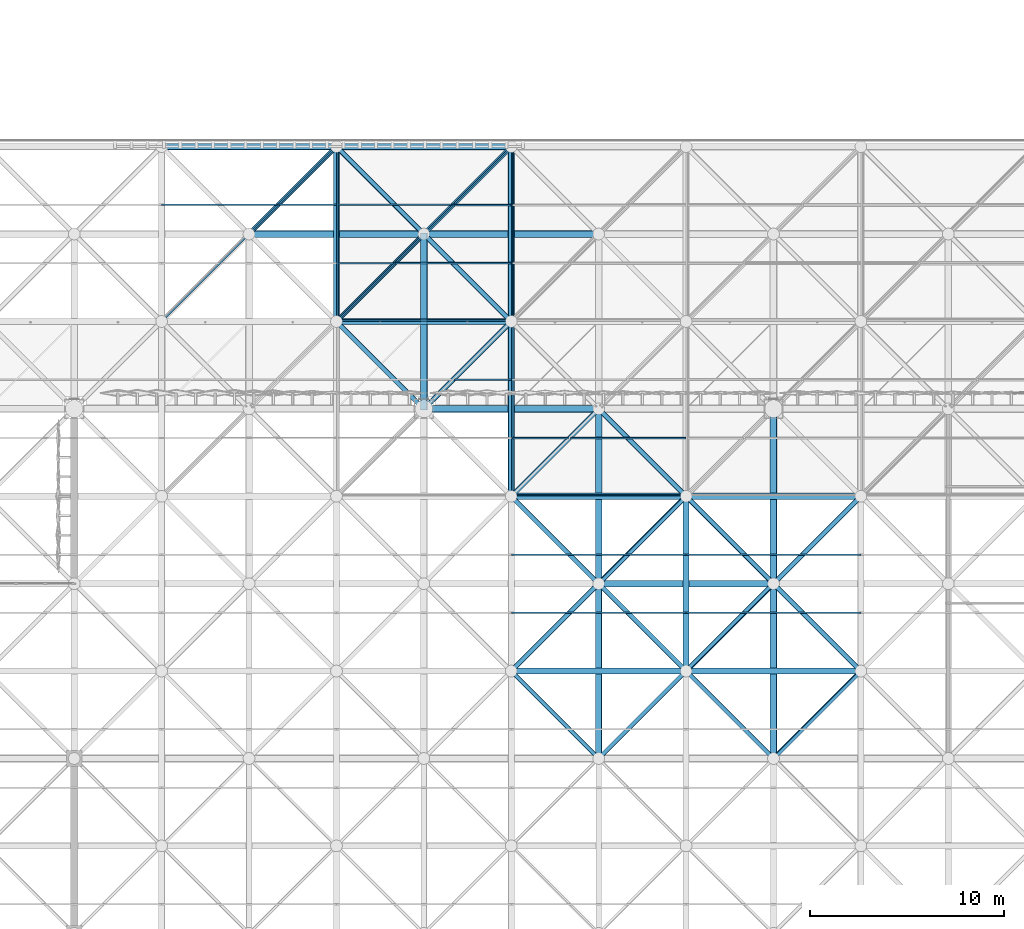
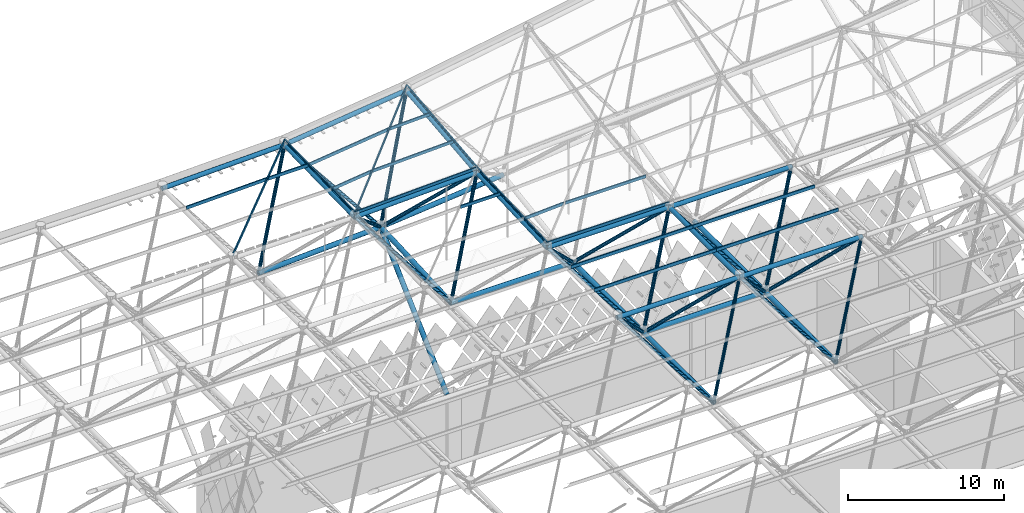
# One storey, part 192 of 437: 62 members.
"""IFC4 building model written with IfcOpenShell, lengths in metres."""

from ifc_helpers import new_model, si_unit, direction, frame, origin, origin_2d, place, context, subcontext, project, spatial, polyline, hollow_circle, outline, extrude, material, material_profile, profile_set, type_object, element, save


model = new_model("IFC4")

# Units and contexts
model_context = context("Model", 3, precision=1e-05, world=origin(), true_north=direction((0.0, 1.0)))
body_context = subcontext(model_context, "Body", "Model", "MODEL_VIEW")
ifc_project = project(units=[si_unit("LENGTHUNIT", "METRE"), si_unit("AREAUNIT", "SQUARE_METRE"), si_unit("VOLUMEUNIT", "CUBIC_METRE"), si_unit("PLANEANGLEUNIT", "RADIAN"), si_unit("MASSUNIT", "GRAM", prefix="KILO")], contexts=[model_context])

# Site, building, storey
site_placement = place(None, origin())
site = spatial("IfcSite", under=ifc_project, at=site_placement, CompositionType="ELEMENT")
building_placement = place(site_placement, origin())
building = spatial("IfcBuilding", under=site, at=building_placement, Name="Opaline Strait Convention Centre", CompositionType="ELEMENT")
storey_placement = place(building_placement, frame((0.0, 0.0, 11.5)))
storey = spatial("IfcBuildingStorey", under=building, at=storey_placement, Name="L02", CompositionType="ELEMENT", Elevation=11.5)

# Members
ifc_material = material(Name="Steel Q355B", Category="steel")
ifc_material_profile_1 = material_profile(ifc_material, hollow_circle(Radius=0.175537109375, WallThickness=0.01611328125, at=origin_2d()), Name="CHS 351x16")
ifc_profile_set_1 = profile_set([ifc_material_profile_1], Name="Steel Q355B")
member_type_1 = type_object("IfcMemberType", Name="Raking prop CHS 351x16", PredefinedType="BRACE", material=ifc_profile_set_1)
member_1_placement = place(storey_placement, frame((225.0, 153.51611328125, 5.014892578125), z_axis=(0.0, 0.72992125999, 0.683531238653), x_axis=(-1.0, 0.0, 0.0)))
element("IfcMember", 1, at=member_1_placement, inside=storey, type_object=member_type_1, Name="Raking prop 225/153 N", PredefinedType="BRACE", context=body_context, shape_type="SweptSolid", body=[
    extrude(hollow_circle(Radius=0.175537109375, WallThickness=0.01611328125, at=origin_2d()), origin(), (0.0, 0.0, 1.0), 11.6728515625),
])
ifc_material_profile_2 = material_profile(ifc_material, outline(polyline([(-0.03759765625, -0.125), (0.03759765625, -0.125), (0.03759765625, -0.10498046875), (0.034912109375, -0.10498046875), (0.034912109375, -0.12255859375), (-0.034912109375, -0.12255859375), (-0.034912109375, 0.12255859375), (0.034912109375, 0.12255859375), (0.034912109375, 0.10498046875), (0.03759765625, 0.10498046875), (0.03759765625, 0.125), (-0.03759765625, 0.125), (-0.03759765625, -0.125)])), Name="C 250x75x20x2.5")
ifc_profile_set_2 = profile_set([ifc_material_profile_2], Name="Steel Q355B")
member_type_2 = type_object("IfcMemberType", Name="Roof purlin C 250x75x20x2.5", PredefinedType="PURLIN", material=ifc_profile_set_2)
for number, where, z_axis, x_axis, name in (
    (2, (229.5, 142.5, 18.257080078125), (1.0, 0.0, 0.0), (0.0, 1.0, 0.0), "EXB-RF-P-16-11-0"),
    (3, (229.5, 145.5, 18.257080078125), (1.0, 0.0, 0.0), (0.0, 1.0, 0.0), "EXB-RF-P-16-11-1"),
    (4, (238.5, 142.5, 18.257080078125), (1.0, 0.0, 0.0), (0.0, 1.0, 0.0), "EXB-RF-P-17-11-0"),
    (5, (238.5, 145.5, 18.257080078125), (1.0, 0.0, 0.0), (0.0, 1.0, 0.0), "EXB-RF-P-17-11-1"),
):
    element("IfcMember", number, at=place(storey_placement, frame(where, z_axis=z_axis, x_axis=x_axis)), inside=storey, type_object=member_type_2, Name=name, PredefinedType="PURLIN", context=body_context, shape_type="SweptSolid", body=[
        extrude(outline(polyline([(-0.03759765625, -0.125), (0.03759765625, -0.125), (0.03759765625, -0.10498046875), (0.034912109375, -0.10498046875), (0.034912109375, -0.12255859375), (-0.034912109375, -0.12255859375), (-0.034912109375, 0.12255859375), (0.034912109375, 0.12255859375), (0.034912109375, 0.10498046875), (0.03759765625, 0.10498046875), (0.03759765625, 0.125), (-0.03759765625, 0.125), (-0.03759765625, -0.125)])), origin(), (0.0, 0.0, 1.0), 9.0),
    ])
member_2_placement = place(storey_placement, frame((226.550048828125, 154.5, 18.52490234375), z_axis=(1.0, 0.0, 0.0), x_axis=(0.0, 0.999004644434, 0.044606282058)))
element("IfcMember", 6, at=member_2_placement, inside=storey, type_object=member_type_2, Name="EXB-RF-P-15-12-1a", PredefinedType="PURLIN", context=body_context, shape_type="SweptSolid", body=[
    extrude(outline(polyline([(-0.03759765625, -0.125), (0.03759765625, -0.125), (0.03759765625, -0.10498046875), (0.034912109375, -0.10498046875), (0.034912109375, -0.12255859375), (-0.034912109375, -0.12255859375), (-0.034912109375, 0.12255859375), (0.034912109375, 0.12255859375), (0.034912109375, 0.10498046875), (0.03759765625, 0.10498046875), (0.03759765625, 0.125), (-0.03759765625, 0.125), (-0.03759765625, -0.125)])), origin(), (0.0, 0.0, 1.0), 2.949951171875),
])
member_3_placement = place(storey_placement, frame((229.449951171875, 148.5517578125, 18.26220703125), z_axis=(1.0, 0.0, 0.0), x_axis=(0.0, 0.995149078082, 0.098378414266)))
element("IfcMember", 7, at=member_3_placement, inside=storey, type_object=member_type_2, Name="EXB-RF-E-16-12a", PredefinedType="PURLIN", context=body_context, shape_type="SweptSolid", body=[
    extrude(outline(polyline([(-0.03759765625, -0.125), (0.03759765625, -0.125), (0.03759765625, -0.10498046875), (0.034912109375, -0.10498046875), (0.034912109375, -0.12255859375), (-0.034912109375, -0.12255859375), (-0.034912109375, 0.12255859375), (0.034912109375, 0.12255859375), (0.034912109375, 0.10498046875), (0.03759765625, 0.10498046875), (0.03759765625, 0.125), (-0.03759765625, 0.125), (-0.03759765625, -0.125)])), origin(), (0.0, 0.0, 1.0), 9.10009765625),
])
member_4_placement = place(storey_placement, frame((232.550048828125, 151.5, 18.5537109375), z_axis=(1.0, 0.0, 0.0), x_axis=(0.0, 0.995149078082, 0.098378414266)))
element("IfcMember", 8, at=member_4_placement, inside=storey, type_object=member_type_2, Name="EXB-RF-P-16-12-0a", PredefinedType="PURLIN", context=body_context, shape_type="SweptSolid", body=[
    extrude(outline(polyline([(-0.03759765625, -0.125), (0.03759765625, -0.125), (0.03759765625, -0.10498046875), (0.034912109375, -0.10498046875), (0.034912109375, -0.12255859375), (-0.034912109375, -0.12255859375), (-0.034912109375, 0.12255859375), (0.034912109375, 0.12255859375), (0.034912109375, 0.10498046875), (0.03759765625, 0.10498046875), (0.03759765625, 0.125), (-0.03759765625, 0.125), (-0.03759765625, -0.125)])), origin(), (0.0, 0.0, 1.0), 5.949951171875),
])
member_5_placement = place(storey_placement, frame((229.54638671875, 148.449951171875, 18.257568359375), z_axis=(0.0, 0.999005016003, 0.044597959613), x_axis=(-0.998536953469, 0.002411571545, -0.054019782307)))
element("IfcMember", 9, at=member_5_placement, inside=storey, type_object=member_type_2, Name="EXB-RF-E-16-12b", PredefinedType="PURLIN", context=body_context, shape_type="SweptSolid", body=[
    extrude(outline(polyline([(-0.03759765625, -0.125), (0.03759765625, -0.125), (0.03759765625, -0.10498046875), (0.034912109375, -0.10498046875), (0.034912109375, -0.12255859375), (-0.034912109375, -0.12255859375), (-0.034912109375, 0.12255859375), (0.034912109375, 0.12255859375), (0.034912109375, 0.10498046875), (0.03759765625, 0.10498046875), (0.03759765625, 0.125), (-0.03759765625, 0.125), (-0.03759765625, -0.125)])), origin(), (0.0, 0.0, 1.0), 9.109130859375),
])
member_6_placement = place(storey_placement, frame((229.5810546875, 151.5, 18.3955078125), z_axis=(0.998533968288, 0.0, 0.054128681627), x_axis=(-0.00241447924, 0.999004644434, 0.044540887834)))
element("IfcMember", 10, at=member_6_placement, inside=storey, type_object=member_type_2, Name="EXB-RF-P-16-12-0b", PredefinedType="PURLIN", context=body_context, shape_type="SweptSolid", body=[
    extrude(outline(polyline([(-0.03759765625, -0.125), (0.03759765625, -0.125), (0.03759765625, -0.10498046875), (0.034912109375, -0.10498046875), (0.034912109375, -0.12255859375), (-0.034912109375, -0.12255859375), (-0.034912109375, 0.12255859375), (0.034912109375, 0.12255859375), (0.034912109375, 0.10498046875), (0.03759765625, 0.10498046875), (0.03759765625, 0.125), (-0.03759765625, 0.125), (-0.03759765625, -0.125)])), origin(), (0.0, 0.0, 1.0), 2.873046875),
])
member_7_placement = place(storey_placement, frame((211.5, 157.5, 18.256103515625), z_axis=(0.706967474347, 0.706967474347, 0.01984894032), x_axis=(-0.707208676567, 0.706940201705, 0.009562374229)))
element("IfcMember", 11, at=member_7_placement, inside=storey, type_object=member_type_2, Name="EXB-RF-F-14-13", PredefinedType="PURLIN", context=body_context, shape_type="SweptSolid", body=[
    extrude(outline(polyline([(-0.03759765625, -0.125), (0.03759765625, -0.125), (0.03759765625, -0.10498046875), (0.034912109375, -0.10498046875), (0.034912109375, -0.12255859375), (-0.034912109375, -0.12255859375), (-0.034912109375, 0.12255859375), (0.034912109375, 0.12255859375), (0.034912109375, 0.10498046875), (0.03759765625, 0.10498046875), (0.03759765625, 0.125), (-0.03759765625, 0.125), (-0.03759765625, -0.125)])), origin(), (0.0, 0.0, 1.0), 12.73046875),
])
member_8_placement = place(storey_placement, frame((217.550048828125, 163.5, 18.42578125), z_axis=(0.999973480305, 0.0, 0.007282766388), x_axis=(-0.000151476691, 0.999783670452, 0.020798782467)))
element("IfcMember", 12, at=member_8_placement, inside=storey, type_object=member_type_2, Name="EXB-RF-P-14-13-1a", PredefinedType="PURLIN", context=body_context, shape_type="SweptSolid", body=[
    extrude(outline(polyline([(-0.03759765625, -0.125), (0.03759765625, -0.125), (0.03759765625, -0.10498046875), (0.034912109375, -0.10498046875), (0.034912109375, -0.12255859375), (-0.034912109375, -0.12255859375), (-0.034912109375, 0.12255859375), (0.034912109375, 0.12255859375), (0.034912109375, 0.10498046875), (0.03759765625, 0.10498046875), (0.03759765625, 0.125), (-0.03759765625, 0.125), (-0.03759765625, -0.125)])), origin(), (0.0, 0.0, 1.0), 2.949951171875),
])
member_9_placement = place(storey_placement, frame((211.5, 163.5, 18.257080078125), z_axis=(0.999606378304, 0.0, 0.028055096744), x_axis=(0.0, 1.0, 0.0)))
element("IfcMember", 13, at=member_9_placement, inside=storey, type_object=member_type_2, Name="EXB-RF-P-14-13-1b", PredefinedType="PURLIN", context=body_context, shape_type="SweptSolid", body=[
    extrude(outline(polyline([(-0.03759765625, -0.125), (0.03759765625, -0.125), (0.03759765625, -0.10498046875), (0.034912109375, -0.10498046875), (0.034912109375, -0.12255859375), (-0.034912109375, -0.12255859375), (-0.034912109375, 0.12255859375), (0.034912109375, 0.12255859375), (0.034912109375, 0.10498046875), (0.03759765625, 0.10498046875), (0.03759765625, 0.125), (-0.03759765625, 0.125), (-0.03759765625, -0.125)])), origin(), (0.0, 0.0, 1.0), 5.952392578125),
])
member_10_placement = place(storey_placement, frame((220.5, 157.5, 18.31982421875), z_axis=(0.703588662414, 0.703588662414, 0.099629253955), x_axis=(-0.709635656361, 0.703016428471, 0.046745443856)))
element("IfcMember", 14, at=member_10_placement, inside=storey, type_object=member_type_2, Name="EXB-RF-F-15-13", PredefinedType="PURLIN", context=body_context, shape_type="SweptSolid", body=[
    extrude(outline(polyline([(-0.03759765625, -0.125), (0.03759765625, -0.125), (0.03759765625, -0.10498046875), (0.034912109375, -0.10498046875), (0.034912109375, -0.12255859375), (-0.034912109375, -0.12255859375), (-0.034912109375, 0.12255859375), (0.034912109375, 0.12255859375), (0.034912109375, 0.10498046875), (0.03759765625, 0.10498046875), (0.03759765625, 0.125), (-0.03759765625, 0.125), (-0.03759765625, -0.125)])), origin(), (0.0, 0.0, 1.0), 12.79150390625),
])
member_11_placement = place(storey_placement, frame((220.449951171875, 157.552490234375, 18.326416015625), z_axis=(0.999302401392, 0.0, 0.037345824037), x_axis=(-0.003868565413, 0.994620331005, 0.103515367712)))
element("IfcMember", 15, at=member_11_placement, inside=storey, type_object=member_type_2, Name="EXB-RF-E-15-13a", PredefinedType="PURLIN", context=body_context, shape_type="SweptSolid", body=[
    extrude(outline(polyline([(-0.03759765625, -0.125), (0.03759765625, -0.125), (0.03759765625, -0.10498046875), (0.034912109375, -0.10498046875), (0.034912109375, -0.12255859375), (-0.034912109375, -0.12255859375), (-0.034912109375, 0.12255859375), (0.034912109375, 0.12255859375), (0.034912109375, 0.10498046875), (0.03759765625, 0.10498046875), (0.03759765625, 0.125), (-0.03759765625, 0.125), (-0.03759765625, -0.125)])), origin(), (0.0, 0.0, 1.0), 9.1064453125),
])
member_12_placement = place(storey_placement, frame((223.550048828125, 160.5, 18.74951171875), z_axis=(0.999302080681, 0.0, 0.037354404641), x_axis=(-0.003872112893, 0.994612915883, 0.10358645809)))
element("IfcMember", 16, at=member_12_placement, inside=storey, type_object=member_type_2, Name="EXB-RF-P-15-13-0a", PredefinedType="PURLIN", context=body_context, shape_type="SweptSolid", body=[
    extrude(outline(polyline([(-0.03759765625, -0.125), (0.03759765625, -0.125), (0.03759765625, -0.10498046875), (0.034912109375, -0.10498046875), (0.034912109375, -0.12255859375), (-0.034912109375, -0.12255859375), (-0.034912109375, 0.12255859375), (0.034912109375, 0.12255859375), (0.034912109375, 0.10498046875), (0.03759765625, 0.10498046875), (0.03759765625, 0.125), (-0.03759765625, 0.125), (-0.03759765625, -0.125)])), origin(), (0.0, 0.0, 1.0), 5.9541015625),
])
member_13_placement = place(storey_placement, frame((226.550048828125, 163.5, 19.17431640625), z_axis=(0.999304142932, 0.0, 0.037299194609), x_axis=(-0.003866389887, 0.994612915883, 0.10358667186)))
element("IfcMember", 17, at=member_13_placement, inside=storey, type_object=member_type_2, Name="EXB-RF-P-15-13-1a", PredefinedType="PURLIN", context=body_context, shape_type="SweptSolid", body=[
    extrude(outline(polyline([(-0.03759765625, -0.125), (0.03759765625, -0.125), (0.03759765625, -0.10498046875), (0.034912109375, -0.10498046875), (0.034912109375, -0.12255859375), (-0.034912109375, -0.12255859375), (-0.034912109375, 0.12255859375), (0.034912109375, 0.12255859375), (0.034912109375, 0.10498046875), (0.03759765625, 0.10498046875), (0.03759765625, 0.125), (-0.03759765625, 0.125), (-0.03759765625, -0.125)])), origin(), (0.0, 0.0, 1.0), 2.951904296875),
])
member_14_placement = place(storey_placement, frame((220.554443359375, 157.449951171875, 18.328857421875), z_axis=(0.0, 0.999783359176, 0.020814291107), x_axis=(-0.992786458004, 0.002495550072, -0.119870017244)))
element("IfcMember", 18, at=member_14_placement, inside=storey, type_object=member_type_2, Name="EXB-RF-E-15-13b", PredefinedType="PURLIN", context=body_context, shape_type="SweptSolid", body=[
    extrude(outline(polyline([(-0.03759765625, -0.125), (0.03759765625, -0.125), (0.03759765625, -0.10498046875), (0.034912109375, -0.10498046875), (0.034912109375, -0.12255859375), (-0.034912109375, -0.12255859375), (-0.034912109375, 0.12255859375), (0.034912109375, 0.12255859375), (0.034912109375, 0.10498046875), (0.03759765625, 0.10498046875), (0.03759765625, 0.125), (-0.03759765625, 0.125), (-0.03759765625, -0.125)])), origin(), (0.0, 0.0, 1.0), 9.10205078125),
])
member_15_placement = place(storey_placement, frame((220.5888671875, 160.5, 18.396484375), z_axis=(0.992779097377, 0.0, 0.119956924813), x_axis=(-0.002495024152, 0.999783670452, 0.020649144093)))
element("IfcMember", 19, at=member_15_placement, inside=storey, type_object=member_type_2, Name="EXB-RF-P-15-13-0b", PredefinedType="PURLIN", context=body_context, shape_type="SweptSolid", body=[
    extrude(outline(polyline([(-0.03759765625, -0.125), (0.03759765625, -0.125), (0.03759765625, -0.10498046875), (0.034912109375, -0.10498046875), (0.034912109375, -0.12255859375), (-0.034912109375, -0.12255859375), (-0.034912109375, 0.12255859375), (0.034912109375, 0.12255859375), (0.034912109375, 0.10498046875), (0.03759765625, 0.10498046875), (0.03759765625, 0.125), (-0.03759765625, 0.125), (-0.03759765625, -0.125)])), origin(), (0.0, 0.0, 1.0), 2.8818359375),
])
member_16_placement = place(storey_placement, frame((220.5888671875, 163.5, 18.458984375), z_axis=(0.992782800113, 0.0, 0.119926276516), x_axis=(-0.002494386688, 0.999783670452, 0.020649221107)))
element("IfcMember", 20, at=member_16_placement, inside=storey, type_object=member_type_2, Name="EXB-RF-P-15-13-1b", PredefinedType="PURLIN", context=body_context, shape_type="SweptSolid", body=[
    extrude(outline(polyline([(-0.03759765625, -0.125), (0.03759765625, -0.125), (0.03759765625, -0.10498046875), (0.034912109375, -0.10498046875), (0.034912109375, -0.12255859375), (-0.034912109375, -0.12255859375), (-0.034912109375, 0.12255859375), (0.034912109375, 0.12255859375), (0.034912109375, 0.10498046875), (0.03759765625, 0.10498046875), (0.03759765625, 0.125), (-0.03759765625, 0.125), (-0.03759765625, -0.125)])), origin(), (0.0, 0.0, 1.0), 5.90380859375),
])
member_17_placement = place(storey_placement, frame((229.56005859375, 157.449951171875, 18.665771484375), z_axis=(0.0, 0.994612105595, 0.10366657805), x_axis=(-0.986051866452, 0.017254091808, -0.165541574785)))
element("IfcMember", 21, at=member_17_placement, inside=storey, type_object=member_type_2, Name="EXB-RF-E-16-13b", PredefinedType="PURLIN", context=body_context, shape_type="SweptSolid", body=[
    extrude(outline(polyline([(-0.03759765625, -0.125), (0.03759765625, -0.125), (0.03759765625, -0.10498046875), (0.034912109375, -0.10498046875), (0.034912109375, -0.12255859375), (-0.034912109375, -0.12255859375), (-0.034912109375, 0.12255859375), (0.034912109375, 0.12255859375), (0.034912109375, 0.10498046875), (0.03759765625, 0.10498046875), (0.03759765625, 0.125), (-0.03759765625, 0.125), (-0.03759765625, -0.125)])), origin(), (0.0, 0.0, 1.0), 9.1494140625),
])
ifc_material_profile_3 = material_profile(ifc_material, hollow_circle(Radius=0.16259765625, WallThickness=0.013916015625, at=origin_2d()), Name="CHS 325x14")
ifc_profile_set_3 = profile_set([ifc_material_profile_3], Name="Steel Q355B")
member_type_3 = type_object("IfcMemberType", Name="Space frame bottom chord CHS 325x14", PredefinedType="CHORD", material=ifc_profile_set_3)
member_18_placement = place(storey_placement, frame((234.0, 134.949951171875, 12.5), z_axis=(0.0, 1.0, 0.0), x_axis=(-1.0, 0.0, 0.0)))
element("IfcMember", 22, at=member_18_placement, inside=storey, type_object=member_type_3, Name="EXB-RF-BY-16-10", PredefinedType="CHORD", context=body_context, shape_type="SweptSolid", body=[
    extrude(hollow_circle(Radius=0.16259765625, WallThickness=0.013916015625, at=origin_2d()), origin(), (0.0, 0.0, 1.0), 9.10009765625),
])
ifc_material_profile_4 = material_profile(ifc_material, hollow_circle(Radius=0.175537109375, WallThickness=0.01611328125, at=origin_2d()), Name="CHS 351x16")
ifc_profile_set_4 = profile_set([ifc_material_profile_4], Name="Steel Q355B")
member_type_4 = type_object("IfcMemberType", Name="Space frame bottom chord CHS 351x16", PredefinedType="CHORD", material=ifc_profile_set_4)
for number, where, z_axis, x_axis, name in (
    (23, (233.949951171875, 144.0, 12.5), (1.0, 0.0, 0.0), (0.0, 1.0, 0.0), "EXB-RF-BX-16-11"),
    (24, (224.949951171875, 153.0, 12.5), (1.0, 0.0, 0.0), (0.0, 1.0, 0.0), "EXB-RF-BX-15-12"),
):
    element("IfcMember", number, at=place(storey_placement, frame(where, z_axis=z_axis, x_axis=x_axis)), inside=storey, type_object=member_type_4, Name=name, PredefinedType="CHORD", context=body_context, shape_type="SweptSolid", body=[
        extrude(hollow_circle(Radius=0.175537109375, WallThickness=0.01611328125, at=origin_2d()), origin(), (0.0, 0.0, 1.0), 9.10009765625),
    ])
member_19_placement = place(storey_placement, frame((215.949951171875, 162.0, 12.50634765625), z_axis=(0.998749263269, 0.0, 0.049999091197), x_axis=(0.0, 1.0, 0.0)))
element("IfcMember", 25, at=member_19_placement, inside=storey, type_object=member_type_4, Name="EXB-RF-BX-14-13", PredefinedType="CHORD", context=body_context, shape_type="SweptSolid", body=[
    extrude(hollow_circle(Radius=0.175537109375, WallThickness=0.01611328125, at=origin_2d()), origin(), (0.0, 0.0, 1.0), 9.111572265625),
])
member_20_placement = place(storey_placement, frame((224.9501953125, 162.0, 12.954345703125), z_axis=(0.99509044308, 0.0, 0.098969743306), x_axis=(0.0, 1.0, 0.0)))
element("IfcMember", 26, at=member_20_placement, inside=storey, type_object=member_type_4, Name="EXB-RF-BX-15-13", PredefinedType="CHORD", context=body_context, shape_type="SweptSolid", body=[
    extrude(hollow_circle(Radius=0.175537109375, WallThickness=0.01611328125, at=origin_2d()), origin(), (0.0, 0.0, 1.0), 9.14453125),
])
member_21_placement = place(storey_placement, frame((225.0, 152.949951171875, 12.49755859375), z_axis=(0.0, 0.998700632728, 0.050961222392), x_axis=(-1.0, 0.0, 0.0)))
element("IfcMember", 27, at=member_21_placement, inside=storey, type_object=member_type_4, Name="EXB-RF-BY-15-12", PredefinedType="CHORD", context=body_context, shape_type="SweptSolid", body=[
    extrude(hollow_circle(Radius=0.175537109375, WallThickness=0.01611328125, at=origin_2d()), origin(), (0.0, 0.0, 1.0), 9.11181640625),
])
for number, where, z_axis, x_axis, name in (
    (28, (234.0, 143.949951171875, 12.5), (0.0, 1.0, 0.0), (-1.0, 0.0, 0.0), "EXB-RF-BY-16-11"),
    (29, (243.0, 134.949951171875, 12.5), (0.0, 1.0, 0.0), (-1.0, 0.0, 0.0), "EXB-RF-BY-17-10"),
    (30, (243.0, 143.949951171875, 12.5), (0.0, 1.0, 0.0), (-1.0, 0.0, 0.0), "EXB-RF-BY-17-11"),
):
    element("IfcMember", number, at=place(storey_placement, frame(where, z_axis=z_axis, x_axis=x_axis)), inside=storey, type_object=member_type_4, Name=name, PredefinedType="CHORD", context=body_context, shape_type="SweptSolid", body=[
        extrude(hollow_circle(Radius=0.175537109375, WallThickness=0.01611328125, at=origin_2d()), origin(), (0.0, 0.0, 1.0), 9.10009765625),
    ])
ifc_material_profile_5 = material_profile(ifc_material, hollow_circle(Radius=0.16259765625, WallThickness=0.013916015625, at=origin_2d()), Name="CHS 325x14")
ifc_profile_set_5 = profile_set([ifc_material_profile_5], Name="Steel Q355B")
member_type_5 = type_object("IfcMemberType", Name="Space frame top chord CHS 325x14", PredefinedType="CHORD", material=ifc_profile_set_5)
member_22_placement = place(storey_placement, frame((229.449951171875, 139.5, 17.971435546875), z_axis=(1.0, 0.0, 0.0), x_axis=(0.0, 1.0, 0.0)))
element("IfcMember", 31, at=member_22_placement, inside=storey, type_object=member_type_5, Name="EXB-RF-TX-16-11", PredefinedType="CHORD", context=body_context, shape_type="SweptSolid", body=[
    extrude(hollow_circle(Radius=0.16259765625, WallThickness=0.013916015625, at=origin_2d()), origin(), (0.0, 0.0, 1.0), 9.10009765625),
])
member_23_placement = place(storey_placement, frame((211.449951171875, 166.5, 17.97021484375), z_axis=(0.999606481677, 0.0, 0.028051413313), x_axis=(0.0, 1.0, 0.0)))
element("IfcMember", 32, at=member_23_placement, inside=storey, type_object=member_type_5, Name="EXB-RF-TX-14-14", PredefinedType="CHORD", context=body_context, shape_type="SweptSolid", body=[
    extrude(hollow_circle(Radius=0.16259765625, WallThickness=0.013916015625, at=origin_2d()), origin(), (0.0, 0.0, 1.0), 9.103759765625),
])
ifc_material_profile_6 = material_profile(ifc_material, hollow_circle(Radius=0.16259765625, WallThickness=0.02001953125, at=origin_2d()), Name="CHS 325x20")
ifc_profile_set_6 = profile_set([ifc_material_profile_6], Name="Steel Q355B")
member_type_6 = type_object("IfcMemberType", Name="Space frame top chord CHS 325x20", PredefinedType="CHORD", material=ifc_profile_set_6)
for number, where, z_axis, x_axis, name in (
    (33, (238.449951171875, 139.5, 17.971435546875), (1.0, 0.0, 0.0), (0.0, 1.0, 0.0), "EXB-RF-TX-17-11"),
    (34, (229.449951171875, 148.5, 17.971435546875), (1.0, 0.0, 0.0), (0.0, 1.0, 0.0), "EXB-RF-TX-16-12"),
    (35, (238.449951171875, 148.5, 17.971435546875), (1.0, 0.0, 0.0), (0.0, 1.0, 0.0), "EXB-RF-TX-17-12"),
):
    element("IfcMember", number, at=place(storey_placement, frame(where, z_axis=z_axis, x_axis=x_axis)), inside=storey, type_object=member_type_6, Name=name, PredefinedType="CHORD", context=body_context, shape_type="SweptSolid", body=[
        extrude(hollow_circle(Radius=0.16259765625, WallThickness=0.02001953125, at=origin_2d()), origin(), (0.0, 0.0, 1.0), 9.10009765625),
    ])
member_24_placement = place(storey_placement, frame((220.449951171875, 157.5, 18.03515625), z_axis=(0.999302401392, 0.0, 0.037345824037), x_axis=(0.0, 1.0, 0.0)))
element("IfcMember", 36, at=member_24_placement, inside=storey, type_object=member_type_6, Name="EXB-RF-TX-15-13", PredefinedType="CHORD", context=body_context, shape_type="SweptSolid", body=[
    extrude(hollow_circle(Radius=0.16259765625, WallThickness=0.02001953125, at=origin_2d()), origin(), (0.0, 0.0, 1.0), 9.1064453125),
])
member_25_placement = place(storey_placement, frame((220.450439453125, 166.5, 18.21826171875), z_axis=(0.992783260631, 0.0, 0.119922464163), x_axis=(0.0, 1.0, 0.0)))
element("IfcMember", 37, at=member_25_placement, inside=storey, type_object=member_type_6, Name="EXB-RF-TX-15-14", PredefinedType="CHORD", context=body_context, shape_type="SweptSolid", body=[
    extrude(hollow_circle(Radius=0.16259765625, WallThickness=0.02001953125, at=origin_2d()), origin(), (0.0, 0.0, 1.0), 9.165283203125),
])
member_26_placement = place(storey_placement, frame((220.5, 157.449951171875, 18.035888671875), z_axis=(0.0, 0.999783359176, 0.020814291107), x_axis=(-1.0, 0.0, 0.0)))
element("IfcMember", 38, at=member_26_placement, inside=storey, type_object=member_type_6, Name="EXB-RF-TY-15-13", PredefinedType="CHORD", context=body_context, shape_type="SweptSolid", body=[
    extrude(hollow_circle(Radius=0.16259765625, WallThickness=0.02001953125, at=origin_2d()), origin(), (0.0, 0.0, 1.0), 9.10205078125),
])
member_27_placement = place(storey_placement, frame((229.5, 148.449951171875, 17.96923828125), z_axis=(0.0, 0.999005016003, 0.044597959613), x_axis=(-1.0, 0.0, 0.0)))
element("IfcMember", 39, at=member_27_placement, inside=storey, type_object=member_type_6, Name="EXB-RF-TY-16-12", PredefinedType="CHORD", context=body_context, shape_type="SweptSolid", body=[
    extrude(hollow_circle(Radius=0.16259765625, WallThickness=0.02001953125, at=origin_2d()), origin(), (0.0, 0.0, 1.0), 9.109130859375),
])
member_28_placement = place(storey_placement, frame((229.5, 157.4501953125, 18.3681640625), z_axis=(0.0, 0.994614283282, 0.10364568245), x_axis=(-1.0, 0.0, 0.0)))
element("IfcMember", 40, at=member_28_placement, inside=storey, type_object=member_type_6, Name="EXB-RF-TY-16-13", PredefinedType="CHORD", context=body_context, shape_type="SweptSolid", body=[
    extrude(hollow_circle(Radius=0.16259765625, WallThickness=0.02001953125, at=origin_2d()), origin(), (0.0, 0.0, 1.0), 9.14892578125),
])
member_29_placement = place(storey_placement, frame((238.5, 139.449951171875, 17.971435546875), z_axis=(0.0, 1.0, 0.0), x_axis=(-1.0, 0.0, 0.0)))
element("IfcMember", 41, at=member_29_placement, inside=storey, type_object=member_type_6, Name="EXB-RF-TY-17-11", PredefinedType="CHORD", context=body_context, shape_type="SweptSolid", body=[
    extrude(hollow_circle(Radius=0.16259765625, WallThickness=0.02001953125, at=origin_2d()), origin(), (0.0, 0.0, 1.0), 9.10009765625),
])
ifc_material_profile_7 = material_profile(ifc_material, hollow_circle(Radius=0.109619140625, WallThickness=0.010009765625, at=origin_2d()), Name="CHS 219x10")
ifc_profile_set_7 = profile_set([ifc_material_profile_7], Name="Steel Q355B")
member_type_7 = type_object("IfcMemberType", Name="Space frame web CHS 219x10", PredefinedType="BRACE", material=ifc_profile_set_7)
for number, where, z_axis, x_axis, name in (
    (42, (229.47314453125, 139.52685546875, 18.004150390625), (0.536178220346, -0.536178220346, -0.6519400525), (0.707106781187, 0.707106781187, 0.0), "EXB-RF-W-16-10-01"),
    (43, (238.52685546875, 139.52685546875, 18.004150390625), (-0.536178220346, -0.536178220346, -0.6519400525), (0.707106781187, -0.707106781187, 0.0), "EXB-RF-W-16-10-11"),
    (44, (238.47314453125, 139.52685546875, 18.004150390625), (0.536178220346, -0.536178220346, -0.6519400525), (0.707106781187, 0.707106781187, 0.0), "EXB-RF-W-17-10-01"),
    (45, (247.52685546875, 139.52685546875, 18.004150390625), (-0.536178220346, -0.536178220346, -0.6519400525), (0.707106781187, -0.707106781187, 0.0), "EXB-RF-W-17-10-11"),
):
    element("IfcMember", number, at=place(storey_placement, frame(where, z_axis=z_axis, x_axis=x_axis)), inside=storey, type_object=member_type_7, Name=name, PredefinedType="BRACE", context=body_context, shape_type="SweptSolid", body=[
        extrude(hollow_circle(Radius=0.109619140625, WallThickness=0.010009765625, at=origin_2d()), origin(), (0.0, 0.0, 1.0), 8.492919921875),
    ])
ifc_material_profile_8 = material_profile(ifc_material, hollow_circle(Radius=0.12255859375, WallThickness=0.011962890625, at=origin_2d()), Name="CHS 245x12")
ifc_profile_set_8 = profile_set([ifc_material_profile_8], Name="Steel Q355B")
member_type_8 = type_object("IfcMemberType", Name="Space frame web CHS 245x12", PredefinedType="BRACE", material=ifc_profile_set_8)
member_30_placement = place(storey_placement, frame((220.5263671875, 166.5263671875, 18.257568359375), z_axis=(-0.526104118991, -0.526104118991, -0.668153359613), x_axis=(0.707106781187, -0.707106781187, 0.0)))
element("IfcMember", 46, at=member_30_placement, inside=storey, type_object=member_type_8, Name="EXB-RF-W-14-13-11", PredefinedType="BRACE", context=body_context, shape_type="SweptSolid", body=[
    extrude(hollow_circle(Radius=0.12255859375, WallThickness=0.011962890625, at=origin_2d()), origin(), (0.0, 0.0, 1.0), 8.653564453125),
])
member_31_placement = place(storey_placement, frame((220.473388671875, 157.526611328125, 18.06982421875), z_axis=(0.533455011951, -0.533455011951, -0.65639279433), x_axis=(0.707106781187, 0.707106781187, 0.0)))
element("IfcMember", 47, at=member_31_placement, inside=storey, type_object=member_type_8, Name="EXB-RF-W-15-12-01", PredefinedType="BRACE", context=body_context, shape_type="SweptSolid", body=[
    extrude(hollow_circle(Radius=0.12255859375, WallThickness=0.011962890625, at=origin_2d()), origin(), (0.0, 0.0, 1.0), 8.535400390625),
])
member_32_placement = place(storey_placement, frame((229.52587890625, 157.52587890625, 18.4072265625), z_axis=(-0.519617871627, -0.519617871627, -0.678228969429), x_axis=(0.707106781187, -0.707106781187, 0.0)))
element("IfcMember", 48, at=member_32_placement, inside=storey, type_object=member_type_8, Name="EXB-RF-W-15-12-11", PredefinedType="BRACE", context=body_context, shape_type="SweptSolid", body=[
    extrude(hollow_circle(Radius=0.12255859375, WallThickness=0.011962890625, at=origin_2d()), origin(), (0.0, 0.0, 1.0), 8.759765625),
])
member_33_placement = place(storey_placement, frame((220.472412109375, 157.472412109375, 18.068115234375), z_axis=(0.552730589909, 0.552730589909, -0.623680839819), x_axis=(-0.707106781187, 0.707106781187, 0.0)))
element("IfcMember", 49, at=member_33_placement, inside=storey, type_object=member_type_8, Name="EXB-RF-W-15-13-00", PredefinedType="BRACE", context=body_context, shape_type="SweptSolid", body=[
    extrude(hollow_circle(Radius=0.12255859375, WallThickness=0.011962890625, at=origin_2d()), origin(), (0.0, 0.0, 1.0), 8.2412109375),
])
member_34_placement = place(storey_placement, frame((220.47265625, 166.52734375, 18.256103515625), z_axis=(0.544839052131, -0.544839052131, -0.637417300162), x_axis=(0.707106781187, 0.707106781187, 0.0)))
element("IfcMember", 50, at=member_34_placement, inside=storey, type_object=member_type_8, Name="EXB-RF-W-15-13-01", PredefinedType="BRACE", context=body_context, shape_type="SweptSolid", body=[
    extrude(hollow_circle(Radius=0.12255859375, WallThickness=0.011962890625, at=origin_2d()), origin(), (0.0, 0.0, 1.0), 8.359619140625),
])
member_35_placement = place(storey_placement, frame((229.52685546875, 157.47314453125, 18.40576171875), z_axis=(-0.538573162213, 0.538573162213, -0.647979859169), x_axis=(-0.707106781187, -0.707106781187, 0.0)))
element("IfcMember", 51, at=member_35_placement, inside=storey, type_object=member_type_8, Name="EXB-RF-W-15-13-10", PredefinedType="BRACE", context=body_context, shape_type="SweptSolid", body=[
    extrude(hollow_circle(Radius=0.12255859375, WallThickness=0.011962890625, at=origin_2d()), origin(), (0.0, 0.0, 1.0), 8.455078125),
])
member_36_placement = place(storey_placement, frame((229.52490234375, 166.52490234375, 19.3466796875), z_axis=(-0.500458219713, -0.500458219713, -0.706458166237), x_axis=(0.707106781187, -0.707106781187, 0.0)))
element("IfcMember", 52, at=member_36_placement, inside=storey, type_object=member_type_8, Name="EXB-RF-W-15-13-11", PredefinedType="BRACE", context=body_context, shape_type="SweptSolid", body=[
    extrude(hollow_circle(Radius=0.12255859375, WallThickness=0.011962890625, at=origin_2d()), origin(), (0.0, 0.0, 1.0), 9.09130859375),
])
for number, where, z_axis, x_axis, name in (
    (53, (229.47314453125, 139.47314453125, 18.004150390625), (0.536178220346, 0.536178220346, -0.6519400525), (-0.707106781187, 0.707106781187, 0.0), "EXB-RF-W-16-11-00"),
    (54, (229.47314453125, 148.52685546875, 18.004150390625), (0.536178220346, -0.536178220346, -0.6519400525), (0.707106781187, 0.707106781187, 0.0), "EXB-RF-W-16-11-01"),
    (55, (238.52685546875, 139.47314453125, 18.004150390625), (-0.536178220346, 0.536178220346, -0.6519400525), (-0.707106781187, -0.707106781187, 0.0), "EXB-RF-W-16-11-10"),
    (56, (238.52685546875, 148.52685546875, 18.004150390625), (-0.536178220346, -0.536178220346, -0.6519400525), (0.707106781187, -0.707106781187, 0.0), "EXB-RF-W-16-11-11"),
    (57, (229.47314453125, 148.47314453125, 18.004150390625), (0.536178220346, 0.536178220346, -0.6519400525), (-0.707106781187, 0.707106781187, 0.0), "EXB-RF-W-16-12-00"),
    (58, (238.52685546875, 148.47314453125, 18.004150390625), (-0.536178220346, 0.536178220346, -0.6519400525), (-0.707106781187, -0.707106781187, 0.0), "EXB-RF-W-16-12-10"),
    (59, (238.47314453125, 139.47314453125, 18.004150390625), (0.536178220346, 0.536178220346, -0.6519400525), (-0.707106781187, 0.707106781187, 0.0), "EXB-RF-W-17-11-00"),
    (60, (238.47314453125, 148.52685546875, 18.004150390625), (0.536178220346, -0.536178220346, -0.6519400525), (0.707106781187, 0.707106781187, 0.0), "EXB-RF-W-17-11-01"),
    (61, (247.52685546875, 139.47314453125, 18.004150390625), (-0.536178220346, 0.536178220346, -0.6519400525), (-0.707106781187, -0.707106781187, 0.0), "EXB-RF-W-17-11-10"),
    (62, (247.52685546875, 148.52685546875, 18.004150390625), (-0.536178220346, -0.536178220346, -0.6519400525), (0.707106781187, -0.707106781187, 0.0), "EXB-RF-W-17-11-11"),
):
    element("IfcMember", number, at=place(storey_placement, frame(where, z_axis=z_axis, x_axis=x_axis)), inside=storey, type_object=member_type_8, Name=name, PredefinedType="BRACE", context=body_context, shape_type="SweptSolid", body=[
        extrude(hollow_circle(Radius=0.12255859375, WallThickness=0.011962890625, at=origin_2d()), origin(), (0.0, 0.0, 1.0), 8.492919921875),
    ])

save(model, "model.ifc")
